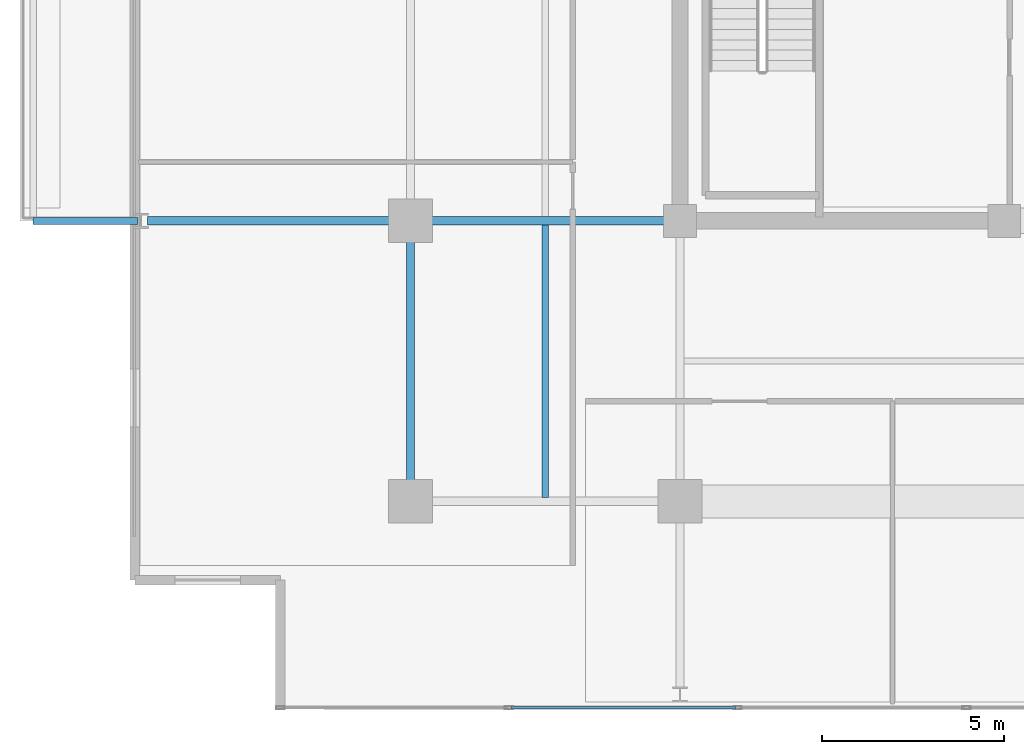
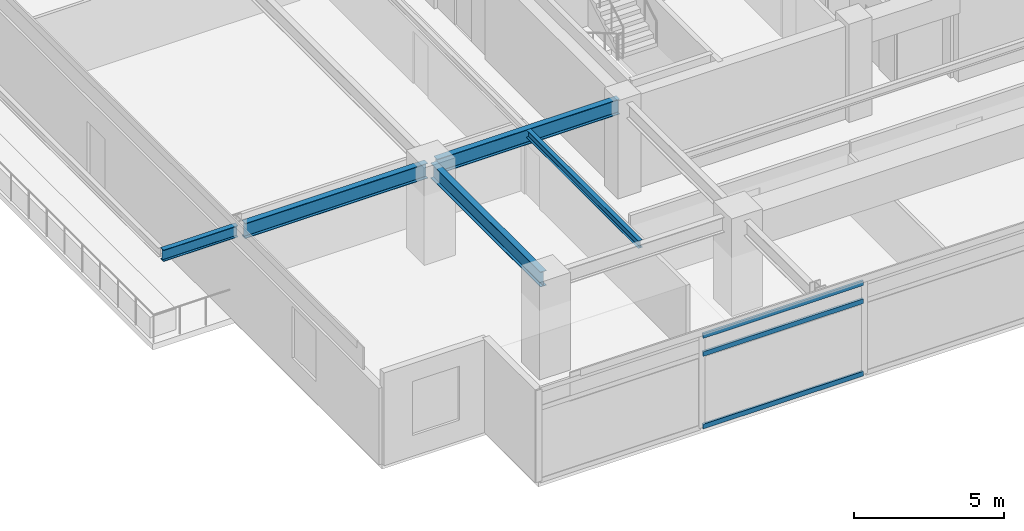
# One storey, part 3 of 21: 5 beams, 3 members, 1 element without a shape of its own.
"""IFC4 building model written with IfcOpenShell, lengths in metres."""

from ifc_helpers import new_model, si_unit, direction, frame, origin, origin_2d, place, context, subcontext, project, spatial, hollow_rectangle, i_section, extrude, material, material_profile, profile_set, type_object, element, aggregate, save


model = new_model("IFC4")

# Units and contexts
model_context = context("Model", 3, precision=1e-05, world=origin(), true_north=direction((0.0, 1.0)))
body_context = subcontext(model_context, "Body", "Model", "MODEL_VIEW")
ifc_project = project(units=[si_unit("LENGTHUNIT", "METRE"), si_unit("AREAUNIT", "SQUARE_METRE"), si_unit("VOLUMEUNIT", "CUBIC_METRE"), si_unit("PLANEANGLEUNIT", "RADIAN"), si_unit("MASSUNIT", "GRAM", prefix="KILO")], contexts=[model_context])

# Site, building, storey
site_placement = place(None, origin())
site = spatial("IfcSite", under=ifc_project, at=site_placement, CompositionType="ELEMENT")
building_placement = place(site_placement, origin())
building = spatial("IfcBuilding", under=site, at=building_placement, Name="Kovane Verandah Tower", CompositionType="ELEMENT")
storey_placement = place(building_placement, frame((0.0, 0.0, 275.199951171875)))
storey = spatial("IfcBuildingStorey", under=building, at=storey_placement, Name="L64", CompositionType="ELEMENT", Elevation=275.199951171875)

# Beams
ifc_material_1 = material(Name="Steel S355", Category="steel")
ifc_material_profile_1 = material_profile(ifc_material_1, i_section(OverallWidth=0.230224609375, OverallDepth=0.6171875, WebThickness=0.01318359375, FlangeThickness=0.022216796875, FilletRadius=0.0126953125, at=origin_2d()), Name="UB610x229x140")
ifc_profile_set_1 = profile_set([ifc_material_profile_1], Name="Steel S355")
beam_type_1 = type_object("IfcBeamType", Name="BM-UB610x140", PredefinedType="BEAM", material=ifc_profile_set_1)
beam_1_placement = place(storey_placement, frame((21.60009765625, 10.97998046875, 3.4765625), z_axis=(0.0, 1.0, 0.0), x_axis=(-1.0, 0.0, 0.0)))
element("IfcBeam", 1, at=beam_1_placement, inside=storey, type_object=beam_type_1, Name="L64 Primary Tower Girder G-RW1", PredefinedType="BEAM", context=body_context, shape_type="SweptSolid", body=[
    extrude(i_section(OverallWidth=0.230224609375, OverallDepth=0.6171875, WebThickness=0.01318359375, FlangeThickness=0.022216796875, FilletRadius=0.0126953125, at=origin_2d()), origin(), (0.0, 0.0, 1.0), 7.340087890625),
])
for number, where, z_axis, x_axis, name in (
    (2, (28.820068359375, 18.5, 3.4765625), (-1.0, 0.0, 0.0), (0.0, -1.0, 0.0), "L64 Primary Tower Girder G-W1"),
    (3, (21.419921875, 18.5, 3.451416015625), (-1.0, 0.0, 0.0), (0.0, -1.0, 0.0), "L64 Primary Tower Girder G-VW1"),
):
    element("IfcBeam", number, at=place(storey_placement, frame(where, z_axis=z_axis, x_axis=x_axis)), inside=storey, type_object=beam_type_1, Name=name, PredefinedType="BEAM", context=body_context, shape_type="SweptSolid", body=[
        extrude(i_section(OverallWidth=0.230224609375, OverallDepth=0.6171875, WebThickness=0.01318359375, FlangeThickness=0.022216796875, FilletRadius=0.0126953125, at=origin_2d()), origin(), (0.0, 0.0, 1.0), 7.0400390625),
    ])

# Curtain wall, members
ifc_material_2 = material(Name="Champagne Anodised Aluminium Frame with Low-E Clear Laminated Glass", Category="aluminium")
curtain_wall_type = type_object("IfcCurtainWallType", Name="CW-SYS-05-HIGH", PredefinedType="NOTDEFINED", material=ifc_material_2)
curtain_wall_placement = place(storey_placement, origin())
curtain_wall = element("IfcCurtainWall", 4, at=curtain_wall_placement, inside=storey, type_object=curtain_wall_type, Name="L64 S Unitised Curtain Wall", PredefinedType="NOTDEFINED")
ifc_material_3 = material(Name="Champagne Anodised Aluminium 6063-T6", Category="aluminium")
ifc_material_profile_2 = material_profile(ifc_material_3, hollow_rectangle(XDim=0.0849609375, YDim=0.18994140625, WallThickness=0.00390625, at=origin_2d()), Name="AL85x190x4")
ifc_profile_set_2 = profile_set([ifc_material_profile_2], Name="Champagne Anodised Aluminium 6063-T6")
member_type = type_object("IfcMemberType", Name="CW-TRN-85x190", PredefinedType="USERDEFINED", material=ifc_profile_set_2)
member_1_placement = place(storey_placement, frame((24.357666015625, 5.139892578125, 0.050048828125), z_axis=(1.0, 0.0, 0.0), x_axis=(0.0, 1.0, 0.0)))
member_1 = element("IfcMember", 5, at=member_1_placement, type_object=member_type, Name="L64 S Unitised Curtain Wall Transom TB Bay 2", ObjectType="TRANSOM", PredefinedType="USERDEFINED", context=body_context, shape_type="SweptSolid", body=[
    extrude(hollow_rectangle(XDim=0.0849609375, YDim=0.18994140625, WallThickness=0.00390625, at=origin_2d()), origin(), (0.0, 0.0, 1.0), 6.177001953125),
])
member_2_placement = place(storey_placement, frame((24.357666015625, 5.139892578125, 3.005126953125), z_axis=(1.0, 0.0, 0.0), x_axis=(0.0, 1.0, 0.0)))
member_2 = element("IfcMember", 6, at=member_2_placement, type_object=member_type, Name="L64 S Unitised Curtain Wall Transom TM Bay 2", ObjectType="TRANSOM", PredefinedType="USERDEFINED", context=body_context, shape_type="SweptSolid", body=[
    extrude(hollow_rectangle(XDim=0.0849609375, YDim=0.18994140625, WallThickness=0.00390625, at=origin_2d()), origin(), (0.0, 0.0, 1.0), 6.177001953125),
])
member_3_placement = place(storey_placement, frame((24.357666015625, 5.139892578125, 3.735107421875), z_axis=(1.0, 0.0, 0.0), x_axis=(0.0, 1.0, 0.0)))
member_3 = element("IfcMember", 7, at=member_3_placement, type_object=member_type, Name="L64 S Unitised Curtain Wall Transom TT Bay 2", ObjectType="TRANSOM", PredefinedType="USERDEFINED", context=body_context, shape_type="SweptSolid", body=[
    extrude(hollow_rectangle(XDim=0.0849609375, YDim=0.18994140625, WallThickness=0.00390625, at=origin_2d()), origin(), (0.0, 0.0, 1.0), 6.177001953125),
])
aggregate(curtain_wall, [member_1, member_2, member_3])

# Beams
ifc_material_profile_3 = material_profile(ifc_material_1, i_section(OverallWidth=0.1669921875, OverallDepth=0.310302734375, WebThickness=0.0078125, FlangeThickness=0.013671875, FilletRadius=0.0087890625, at=origin_2d()), Name="UB305x165x54")
ifc_profile_set_3 = profile_set([ifc_material_profile_3], Name="Steel S355")
beam_type_2 = type_object("IfcBeamType", Name="JST-UB305x54", PredefinedType="JOIST", material=ifc_profile_set_3)
beam_2_placement = place(storey_placement, frame((25.300048828125, 10.9130859375, 3.6298828125), z_axis=(0.0, 1.0, 0.0), x_axis=(-1.0, 0.0, 0.0)))
element("IfcBeam", 8, at=beam_2_placement, inside=storey, type_object=beam_type_2, Name="L64 Secondary Composite Joist J-SW1", PredefinedType="JOIST", context=body_context, shape_type="SweptSolid", body=[
    extrude(i_section(OverallWidth=0.1669921875, OverallDepth=0.310302734375, WebThickness=0.0078125, FlangeThickness=0.013671875, FilletRadius=0.0087890625, at=origin_2d()), origin(), (0.0, 0.0, 1.0), 7.473876953125),
])
ifc_material_profile_4 = material_profile(ifc_material_1, i_section(OverallWidth=0.19287109375, OverallDepth=0.46728515625, WebThickness=0.011474609375, FlangeThickness=0.01953125, FilletRadius=0.01025390625, at=origin_2d()), Name="UB457x191x98")
ifc_profile_set_4 = profile_set([ifc_material_profile_4], Name="Steel S355")
beam_type_3 = type_object("IfcBeamType", Name="JST-UB457x98", PredefinedType="JOIST", material=ifc_profile_set_4)
beam_3_placement = place(storey_placement, frame((14.1201171875, 18.5, 3.5263671875), z_axis=(-1.0, 0.0, 0.0), x_axis=(0.0, -1.0, 0.0)))
element("IfcBeam", 9, at=beam_3_placement, inside=storey, type_object=beam_type_3, Name="L64 West Planter Girder 1", PredefinedType="JOIST", context=body_context, shape_type="SweptSolid", body=[
    extrude(i_section(OverallWidth=0.19287109375, OverallDepth=0.46728515625, WebThickness=0.011474609375, FlangeThickness=0.01953125, FilletRadius=0.01025390625, at=origin_2d()), origin(), (0.0, 0.0, 1.0), 2.8798828125),
])

save(model, "model.ifc")
